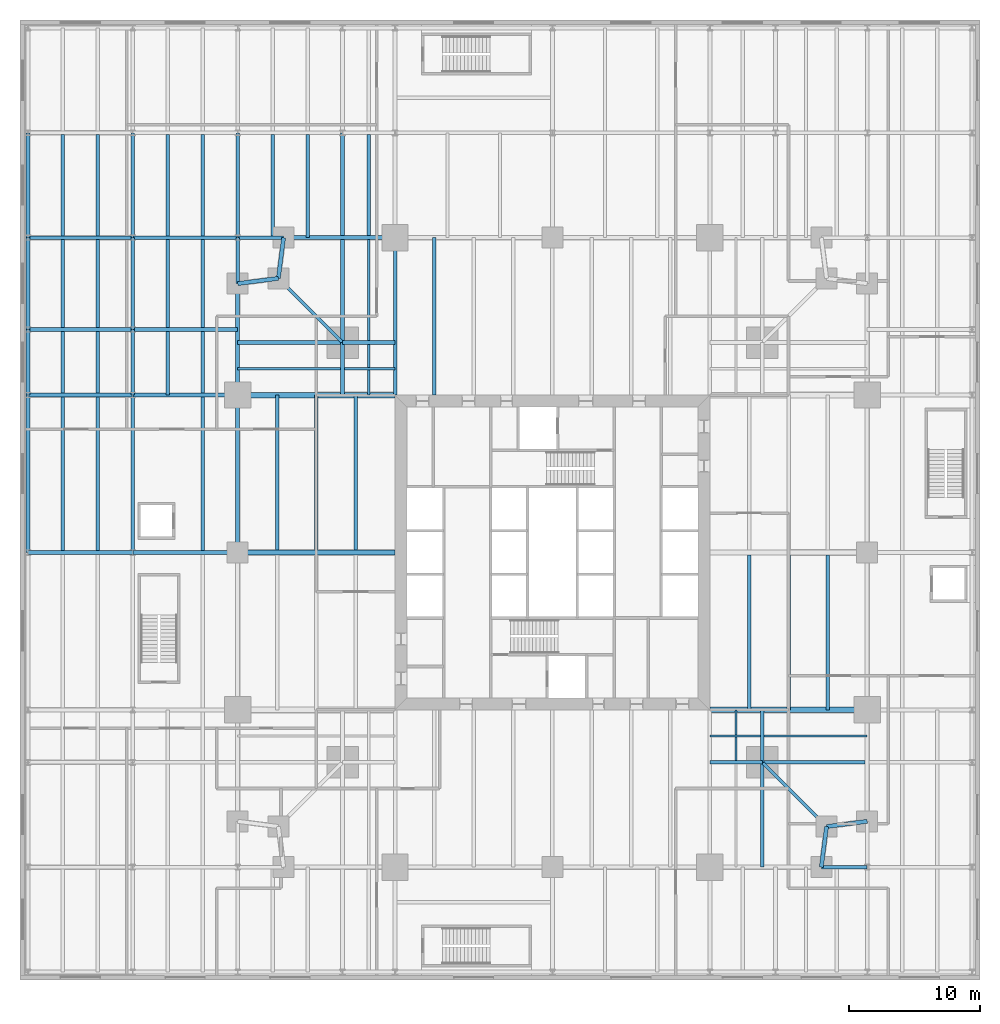
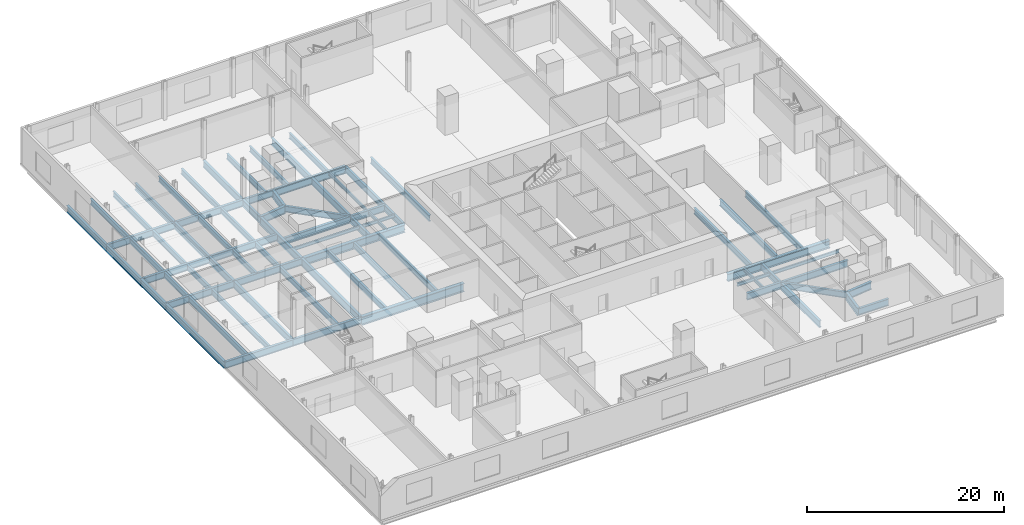
# One storey, part 6 of 16: 76 beams.
"""IFC4 building model written with IfcOpenShell, lengths in metres."""

from ifc_helpers import new_model, si_unit, direction, frame, origin, origin_2d, place, context, subcontext, project, spatial, i_section, extrude, material, material_profile, profile_set, type_object, element, save


model = new_model("IFC4")

# Units and contexts
model_context = context("Model", 3, precision=1e-05, world=origin(), true_north=direction((0.0, 1.0)))
body_context = subcontext(model_context, "Body", "Model", "MODEL_VIEW")
ifc_project = project(units=[si_unit("LENGTHUNIT", "METRE"), si_unit("AREAUNIT", "SQUARE_METRE"), si_unit("VOLUMEUNIT", "CUBIC_METRE"), si_unit("PLANEANGLEUNIT", "RADIAN"), si_unit("MASSUNIT", "GRAM", prefix="KILO")], contexts=[model_context])

# Site, building, storey
site_placement = place(None, origin())
site = spatial("IfcSite", under=ifc_project, at=site_placement, CompositionType="ELEMENT")
building_placement = place(site_placement, origin())
building = spatial("IfcBuilding", under=site, at=building_placement, Name="Fenwick Lantern Interchange", CompositionType="ELEMENT")
storey_placement = place(building_placement, frame((0.0, 0.0, 16.60009765625)))
storey = spatial("IfcBuildingStorey", under=building, at=storey_placement, Name="L03", CompositionType="ELEMENT", Elevation=16.60009765625)

# Beams
ifc_material = material(Name="Steel ASTM A992 Grade 50", Category="steel")
ifc_material_profile_1 = material_profile(ifc_material, i_section(OverallWidth=0.309814453125, OverallDepth=0.949951171875, WebThickness=0.0244140625, FlangeThickness=0.0439453125, at=origin_2d()), Name="W36X256")
ifc_profile_set_1 = profile_set([ifc_material_profile_1], Name="Steel ASTM A992 Grade 50")
beam_type_1 = type_object("IfcBeamType", Name="EDGE BEAM W36X256", PredefinedType="SPANDREL", material=ifc_profile_set_1)
for number, where, z_axis, x_axis, name in (
    (1, (45.5, 1.0, -0.675048828125), (0.127936641807, 0.991782342897, 0.0), (-0.991782342897, 0.127936641807, 0.0), "L03/FR/S/EBR1"),
    (2, (45.89990234375, 4.10009765625, -0.675048828125), (0.991782342897, 0.127936641807, 0.0), (-0.127936641807, 0.991782342897, 0.0), "L03/FR/S/EBR2"),
):
    element("IfcBeam", number, at=place(storey_placement, frame(where, z_axis=z_axis, x_axis=x_axis)), inside=storey, type_object=beam_type_1, Name=name, PredefinedType="SPANDREL", context=body_context, shape_type="SweptSolid", body=[
        extrude(i_section(OverallWidth=0.309814453125, OverallDepth=0.949951171875, WebThickness=0.0244140625, FlangeThickness=0.0439453125, at=origin_2d()), origin(), (0.0, 0.0, 1.0), 3.125732421875),
    ])
beam_1_placement = place(storey_placement, frame((13.0, 49.0, -0.675048828125), z_axis=(-1.0, 0.0, 0.0), x_axis=(0.0, -1.0, 0.0)))
element("IfcBeam", 3, at=beam_1_placement, inside=storey, type_object=beam_type_1, Name="L03/FR/N/EB4", PredefinedType="SPANDREL", context=body_context, shape_type="SweptSolid", body=[
    extrude(i_section(OverallWidth=0.309814453125, OverallDepth=0.949951171875, WebThickness=0.0244140625, FlangeThickness=0.0439453125, at=origin_2d()), origin(), (0.0, 0.0, 1.0), 8.5),
])
for number, where, z_axis, x_axis, name in (
    (4, (4.5, 49.0, -0.675048828125), (-0.127936641807, -0.991782342897, 0.0), (0.991782342897, -0.127936641807, 0.0), "L03/FR/N/EBR1"),
    (5, (4.10009765625, 45.89990234375, -0.675048828125), (-0.991782342897, -0.127936641807, 0.0), (0.127936641807, -0.991782342897, 0.0), "L03/FR/N/EBR2"),
):
    element("IfcBeam", number, at=place(storey_placement, frame(where, z_axis=z_axis, x_axis=x_axis)), inside=storey, type_object=beam_type_1, Name=name, PredefinedType="SPANDREL", context=body_context, shape_type="SweptSolid", body=[
        extrude(i_section(OverallWidth=0.309814453125, OverallDepth=0.949951171875, WebThickness=0.0244140625, FlangeThickness=0.0439453125, at=origin_2d()), origin(), (0.0, 0.0, 1.0), 3.125732421875),
    ])
beam_2_placement = place(storey_placement, frame((1.0, 45.5, -0.675048828125), z_axis=(0.0, -1.0, 0.0), x_axis=(1.0, 0.0, 0.0)))
element("IfcBeam", 6, at=beam_2_placement, inside=storey, type_object=beam_type_1, Name="L03/FR/W/EB1", PredefinedType="SPANDREL", context=body_context, shape_type="SweptSolid", body=[
    extrude(i_section(OverallWidth=0.309814453125, OverallDepth=0.949951171875, WebThickness=0.0244140625, FlangeThickness=0.0439453125, at=origin_2d()), origin(), (0.0, 0.0, 1.0), 8.5),
])
beam_3_placement = place(storey_placement, frame((1.0, 37.0, -0.675048828125), z_axis=(0.0, -1.0, 0.0), x_axis=(1.0, 0.0, 0.0)))
element("IfcBeam", 7, at=beam_3_placement, inside=storey, type_object=beam_type_1, Name="L03/FR/W/EB2", PredefinedType="SPANDREL", context=body_context, shape_type="SweptSolid", body=[
    extrude(i_section(OverallWidth=0.309814453125, OverallDepth=0.949951171875, WebThickness=0.0244140625, FlangeThickness=0.0439453125, at=origin_2d()), origin(), (0.0, 0.0, 1.0), 12.0),
])
ifc_material_profile_2 = material_profile(ifc_material, i_section(OverallWidth=0.2666015625, OverallDepth=0.7568359375, WebThickness=0.013916015625, FlangeThickness=0.019287109375, at=origin_2d()), Name="W30X108")
ifc_profile_set_2 = profile_set([ifc_material_profile_2], Name="Steel ASTM A992 Grade 50")
beam_type_2 = type_object("IfcBeamType", Name="FLOOR BEAM W30X108", PredefinedType="BEAM", material=ifc_profile_set_2)
for number, where, z_axis, x_axis, name in (
    (8, (46.0, 13.0, -0.57861328125), (0.0, 1.0, 0.0), (-1.0, 0.0, 0.0), "L03/FR/E/B01"),
    (9, (43.0, 13.0, -0.57861328125), (0.0, 1.0, 0.0), (-1.0, 0.0, 0.0), "L03/FR/E/B02"),
    (10, (40.0, 13.0, -0.57861328125), (0.0, 1.0, 0.0), (-1.0, 0.0, 0.0), "L03/FR/E/B03"),
):
    element("IfcBeam", number, at=place(storey_placement, frame(where, z_axis=z_axis, x_axis=x_axis)), inside=storey, type_object=beam_type_2, Name=name, PredefinedType="BEAM", context=body_context, shape_type="SweptSolid", body=[
        extrude(i_section(OverallWidth=0.2666015625, OverallDepth=0.7568359375, WebThickness=0.013916015625, FlangeThickness=0.019287109375, at=origin_2d()), origin(), (0.0, 0.0, 1.0), 11.79541015625),
    ])
beam_4_placement = place(storey_placement, frame((16.0, 49.0, -0.57861328125), z_axis=(0.0, -1.0, 0.0), x_axis=(1.0, 0.0, 0.0)))
element("IfcBeam", 11, at=beam_4_placement, inside=storey, type_object=beam_type_2, Name="L03/FR/N/R08", PredefinedType="BEAM", context=body_context, shape_type="SweptSolid", body=[
    extrude(i_section(OverallWidth=0.2666015625, OverallDepth=0.7568359375, WebThickness=0.013916015625, FlangeThickness=0.019287109375, at=origin_2d()), origin(), (0.0, 0.0, 1.0), 12.0),
])
for number, where, z_axis, x_axis, name in (
    (12, (4.0, 37.0, -0.57861328125), (0.0, -1.0, 0.0), (1.0, 0.0, 0.0), "L03/FR/W/B01"),
    (13, (7.0, 37.0, -0.57861328125), (0.0, -1.0, 0.0), (1.0, 0.0, 0.0), "L03/FR/W/B02"),
    (14, (10.0, 37.0, -0.57861328125), (0.0, -1.0, 0.0), (1.0, 0.0, 0.0), "L03/FR/W/B03"),
):
    element("IfcBeam", number, at=place(storey_placement, frame(where, z_axis=z_axis, x_axis=x_axis)), inside=storey, type_object=beam_type_2, Name=name, PredefinedType="BEAM", context=body_context, shape_type="SweptSolid", body=[
        extrude(i_section(OverallWidth=0.2666015625, OverallDepth=0.7568359375, WebThickness=0.013916015625, FlangeThickness=0.019287109375, at=origin_2d()), origin(), (0.0, 0.0, 1.0), 11.79541015625),
    ])
ifc_material_profile_3 = material_profile(ifc_material, i_section(OverallWidth=0.177734375, OverallDepth=0.406494140625, WebThickness=0.0078125, FlangeThickness=0.012939453125, at=origin_2d()), Name="W16X40")
ifc_profile_set_3 = profile_set([ifc_material_profile_3], Name="Steel ASTM A992 Grade 50")
beam_type_3 = type_object("IfcBeamType", Name="INFILL BEAM W16X40", PredefinedType="JOIST", material=ifc_profile_set_3)
beam_5_placement = place(storey_placement, frame((49.0, 11.0, -0.4033203125), z_axis=(-1.0, 0.0, 0.0), x_axis=(0.0, -1.0, 0.0)))
element("IfcBeam", 15, at=beam_5_placement, inside=storey, type_object=beam_type_3, Name="L03/FR/E/J1", PredefinedType="JOIST", context=body_context, shape_type="SweptSolid", body=[
    extrude(i_section(OverallWidth=0.177734375, OverallDepth=0.406494140625, WebThickness=0.0078125, FlangeThickness=0.012939453125, at=origin_2d()), origin(), (0.0, 0.0, 1.0), 7.85400390625),
])
beam_6_placement = place(storey_placement, frame((40.85400390625, 11.0, -0.4033203125), z_axis=(-1.0, 0.0, 0.0), x_axis=(0.0, -1.0, 0.0)))
element("IfcBeam", 16, at=beam_6_placement, inside=storey, type_object=beam_type_3, Name="L03/FR/E/J2", PredefinedType="JOIST", context=body_context, shape_type="SweptSolid", body=[
    extrude(i_section(OverallWidth=0.177734375, OverallDepth=0.406494140625, WebThickness=0.0078125, FlangeThickness=0.012939453125, at=origin_2d()), origin(), (0.0, 0.0, 1.0), 3.85400390625),
])
beam_7_placement = place(storey_placement, frame((39.0, 9.14599609375, -0.4033203125), z_axis=(0.0, 1.0, 0.0), x_axis=(-1.0, 0.0, 0.0)))
element("IfcBeam", 17, at=beam_7_placement, inside=storey, type_object=beam_type_3, Name="L03/FR/E/J4", PredefinedType="JOIST", context=body_context, shape_type="SweptSolid", body=[
    extrude(i_section(OverallWidth=0.177734375, OverallDepth=0.406494140625, WebThickness=0.0078125, FlangeThickness=0.012939453125, at=origin_2d()), origin(), (0.0, 0.0, 1.0), 1.76513671875),
])
beam_8_placement = place(storey_placement, frame((39.0, 11.0888671875, -0.4033203125), z_axis=(0.0, 1.0, 0.0), x_axis=(-1.0, 0.0, 0.0)))
element("IfcBeam", 18, at=beam_8_placement, inside=storey, type_object=beam_type_3, Name="L03/FR/E/J5", PredefinedType="JOIST", context=body_context, shape_type="SweptSolid", body=[
    extrude(i_section(OverallWidth=0.177734375, OverallDepth=0.406494140625, WebThickness=0.0078125, FlangeThickness=0.012939453125, at=origin_2d()), origin(), (0.0, 0.0, 1.0), 1.9111328125),
])
beam_9_placement = place(storey_placement, frame((1.0, 39.0, -0.4033203125), z_axis=(1.0, 0.0, 0.0), x_axis=(0.0, 1.0, 0.0)))
element("IfcBeam", 19, at=beam_9_placement, inside=storey, type_object=beam_type_3, Name="L03/FR/W/J1", PredefinedType="JOIST", context=body_context, shape_type="SweptSolid", body=[
    extrude(i_section(OverallWidth=0.177734375, OverallDepth=0.406494140625, WebThickness=0.0078125, FlangeThickness=0.012939453125, at=origin_2d()), origin(), (0.0, 0.0, 1.0), 7.85400390625),
])
beam_10_placement = place(storey_placement, frame((9.14599609375, 39.0, -0.4033203125), z_axis=(1.0, 0.0, 0.0), x_axis=(0.0, 1.0, 0.0)))
element("IfcBeam", 20, at=beam_10_placement, inside=storey, type_object=beam_type_3, Name="L03/FR/W/J2", PredefinedType="JOIST", context=body_context, shape_type="SweptSolid", body=[
    extrude(i_section(OverallWidth=0.177734375, OverallDepth=0.406494140625, WebThickness=0.0078125, FlangeThickness=0.012939453125, at=origin_2d()), origin(), (0.0, 0.0, 1.0), 3.85400390625),
])
beam_11_placement = place(storey_placement, frame((11.0, 48.844970703125, -0.4033203125), z_axis=(0.0, -1.0, 0.0), x_axis=(1.0, 0.0, 0.0)))
element("IfcBeam", 21, at=beam_11_placement, inside=storey, type_object=beam_type_3, Name="L03/FR/W/J3", PredefinedType="JOIST", context=body_context, shape_type="SweptSolid", body=[
    extrude(i_section(OverallWidth=0.177734375, OverallDepth=0.406494140625, WebThickness=0.0078125, FlangeThickness=0.012939453125, at=origin_2d()), origin(), (0.0, 0.0, 1.0), 7.698974609375),
])
beam_12_placement = place(storey_placement, frame((11.0, 40.85400390625, -0.4033203125), z_axis=(0.0, -1.0, 0.0), x_axis=(1.0, 0.0, 0.0)))
element("IfcBeam", 22, at=beam_12_placement, inside=storey, type_object=beam_type_3, Name="L03/FR/W/J4", PredefinedType="JOIST", context=body_context, shape_type="SweptSolid", body=[
    extrude(i_section(OverallWidth=0.177734375, OverallDepth=0.406494140625, WebThickness=0.0078125, FlangeThickness=0.012939453125, at=origin_2d()), origin(), (0.0, 0.0, 1.0), 1.76513671875),
])
beam_13_placement = place(storey_placement, frame((11.0, 38.9111328125, -0.4033203125), z_axis=(0.0, -1.0, 0.0), x_axis=(1.0, 0.0, 0.0)))
element("IfcBeam", 23, at=beam_13_placement, inside=storey, type_object=beam_type_3, Name="L03/FR/W/J5", PredefinedType="JOIST", context=body_context, shape_type="SweptSolid", body=[
    extrude(i_section(OverallWidth=0.177734375, OverallDepth=0.406494140625, WebThickness=0.0078125, FlangeThickness=0.012939453125, at=origin_2d()), origin(), (0.0, 0.0, 1.0), 1.9111328125),
])
ifc_material_profile_4 = material_profile(ifc_material, i_section(OverallWidth=0.2919921875, OverallDepth=0.845703125, WebThickness=0.015380859375, FlangeThickness=0.0244140625, at=origin_2d()), Name="W33X141")
ifc_profile_set_4 = profile_set([ifc_material_profile_4], Name="Steel ASTM A992 Grade 50")
beam_type_4 = type_object("IfcBeamType", Name="MEGA COLUMN BEAM W33X141", PredefinedType="BEAM", material=ifc_profile_set_4)
beam_14_placement = place(storey_placement, frame((41.0, 9.0, -0.623046875), z_axis=(1.0, 0.0, 0.0), x_axis=(0.0, 1.0, 0.0)))
element("IfcBeam", 24, at=beam_14_placement, inside=storey, type_object=beam_type_4, Name="L03/FR/E/MB1", PredefinedType="BEAM", context=body_context, shape_type="SweptSolid", body=[
    extrude(i_section(OverallWidth=0.2919921875, OverallDepth=0.845703125, WebThickness=0.015380859375, FlangeThickness=0.0244140625, at=origin_2d()), origin(), (0.0, 0.0, 1.0), 7.844970703125),
])
beam_15_placement = place(storey_placement, frame((41.0, 9.0, -0.623046875), z_axis=(0.0, -1.0, 0.0), x_axis=(1.0, 0.0, 0.0)))
element("IfcBeam", 25, at=beam_15_placement, inside=storey, type_object=beam_type_4, Name="L03/FR/E/MB2", PredefinedType="BEAM", context=body_context, shape_type="SweptSolid", body=[
    extrude(i_section(OverallWidth=0.2919921875, OverallDepth=0.845703125, WebThickness=0.015380859375, FlangeThickness=0.0244140625, at=origin_2d()), origin(), (0.0, 0.0, 1.0), 8.0),
])
for number, where, z_axis, x_axis, name in (
    (26, (41.0, 9.0, -0.623046875), (0.0, 1.0, 0.0), (-1.0, 0.0, 0.0), "L03/FR/E/MB3"),
    (27, (41.0, 9.0, -0.623046875), (-1.0, 0.0, 0.0), (0.0, -1.0, 0.0), "L03/FR/E/MB4"),
):
    element("IfcBeam", number, at=place(storey_placement, frame(where, z_axis=z_axis, x_axis=x_axis)), inside=storey, type_object=beam_type_4, Name=name, PredefinedType="BEAM", context=body_context, shape_type="SweptSolid", body=[
        extrude(i_section(OverallWidth=0.2919921875, OverallDepth=0.845703125, WebThickness=0.015380859375, FlangeThickness=0.0244140625, at=origin_2d()), origin(), (0.0, 0.0, 1.0), 4.0),
    ])
beam_16_placement = place(storey_placement, frame((9.0, 41.0, -0.623046875), z_axis=(-1.0, 0.0, 0.0), x_axis=(0.0, -1.0, 0.0)))
element("IfcBeam", 28, at=beam_16_placement, inside=storey, type_object=beam_type_4, Name="L03/FR/W/MB1", PredefinedType="BEAM", context=body_context, shape_type="SweptSolid", body=[
    extrude(i_section(OverallWidth=0.2919921875, OverallDepth=0.845703125, WebThickness=0.015380859375, FlangeThickness=0.0244140625, at=origin_2d()), origin(), (0.0, 0.0, 1.0), 8.0),
])
beam_17_placement = place(storey_placement, frame((9.0, 41.0, -0.623046875), z_axis=(0.0, 1.0, 0.0), x_axis=(-1.0, 0.0, 0.0)))
element("IfcBeam", 29, at=beam_17_placement, inside=storey, type_object=beam_type_4, Name="L03/FR/W/MB2", PredefinedType="BEAM", context=body_context, shape_type="SweptSolid", body=[
    extrude(i_section(OverallWidth=0.2919921875, OverallDepth=0.845703125, WebThickness=0.015380859375, FlangeThickness=0.0244140625, at=origin_2d()), origin(), (0.0, 0.0, 1.0), 7.844970703125),
])
for number, where, z_axis, x_axis, name in (
    (30, (9.0, 41.0, -0.623046875), (0.0, -1.0, 0.0), (1.0, 0.0, 0.0), "L03/FR/W/MB3"),
    (31, (9.0, 41.0, -0.623046875), (1.0, 0.0, 0.0), (0.0, 1.0, 0.0), "L03/FR/W/MB4"),
):
    element("IfcBeam", number, at=place(storey_placement, frame(where, z_axis=z_axis, x_axis=x_axis)), inside=storey, type_object=beam_type_4, Name=name, PredefinedType="BEAM", context=body_context, shape_type="SweptSolid", body=[
        extrude(i_section(OverallWidth=0.2919921875, OverallDepth=0.845703125, WebThickness=0.015380859375, FlangeThickness=0.0244140625, at=origin_2d()), origin(), (0.0, 0.0, 1.0), 4.0),
    ])
ifc_material_profile_5 = material_profile(ifc_material, i_section(OverallWidth=0.2666015625, OverallDepth=0.76953125, WebThickness=0.015625, FlangeThickness=0.025390625, at=origin_2d()), Name="W30X132")
ifc_profile_set_5 = profile_set([ifc_material_profile_5], Name="Steel ASTM A992 Grade 50")
beam_type_5 = type_object("IfcBeamType", Name="MOMENT-CONNECTED GIRDER W30X132", PredefinedType="BEAM", material=ifc_profile_set_5)
beam_18_placement = place(storey_placement, frame((13.0, 49.0, -0.5849609375), z_axis=(0.0, -1.0, 0.0), x_axis=(1.0, 0.0, 0.0)))
element("IfcBeam", 32, at=beam_18_placement, inside=storey, type_object=beam_type_5, Name="L03/FR/N/R09", PredefinedType="BEAM", context=body_context, shape_type="SweptSolid", body=[
    extrude(i_section(OverallWidth=0.2666015625, OverallDepth=0.76953125, WebThickness=0.015625, FlangeThickness=0.025390625, at=origin_2d()), origin(), (0.0, 0.0, 1.0), 12.0),
])
ifc_material_profile_6 = material_profile(ifc_material, i_section(OverallWidth=0.424072265625, OverallDepth=0.947509765625, WebThickness=0.02392578125, FlangeThickness=0.042724609375, at=origin_2d()), Name="W36X302")
ifc_profile_set_6 = profile_set([ifc_material_profile_6], Name="Steel ASTM A992 Grade 50")
beam_type_6 = type_object("IfcBeamType", Name="MOMENT-CONNECTED GIRDER W36X302", PredefinedType="BEAM", material=ifc_profile_set_6)
for number, where, z_axis, x_axis, name in (
    (33, (49.0, 13.0, -0.673828125), (-1.0, 0.0, 0.0), (0.0, -1.0, 0.0), "L03/FR/E/R01"),
    (34, (1.0, 37.0, -0.673828125), (1.0, 0.0, 0.0), (0.0, 1.0, 0.0), "L03/FR/W/R01"),
):
    element("IfcBeam", number, at=place(storey_placement, frame(where, z_axis=z_axis, x_axis=x_axis)), inside=storey, type_object=beam_type_6, Name=name, PredefinedType="BEAM", context=body_context, shape_type="SweptSolid", body=[
        extrude(i_section(OverallWidth=0.424072265625, OverallDepth=0.947509765625, WebThickness=0.02392578125, FlangeThickness=0.042724609375, at=origin_2d()), origin(), (0.0, 0.0, 1.0), 12.0),
    ])
ifc_material_profile_7 = material_profile(ifc_material, i_section(OverallWidth=0.408935546875, OverallDepth=1.04150390625, WebThickness=0.031005859375, FlangeThickness=0.055908203125, at=origin_2d()), Name="W40X397")
ifc_profile_set_7 = profile_set([ifc_material_profile_7], Name="Steel ASTM A992 Grade 50")
beam_type_7 = type_object("IfcBeamType", Name="MOMENT-CONNECTED GIRDER W40X397", PredefinedType="BEAM", material=ifc_profile_set_7)
beam_19_placement = place(storey_placement, frame((1.0, 25.0, -0.720703125), z_axis=(1.0, 0.0, 0.0), x_axis=(0.0, 1.0, 0.0)))
element("IfcBeam", 35, at=beam_19_placement, inside=storey, type_object=beam_type_7, Name="L03/FR/W/R02", PredefinedType="BEAM", context=body_context, shape_type="SweptSolid", body=[
    extrude(i_section(OverallWidth=0.408935546875, OverallDepth=1.04150390625, WebThickness=0.031005859375, FlangeThickness=0.055908203125, at=origin_2d()), origin(), (0.0, 0.0, 1.0), 12.0),
])
ifc_material_profile_8 = material_profile(ifc_material, i_section(OverallWidth=0.2919921875, OverallDepth=0.845703125, WebThickness=0.015380859375, FlangeThickness=0.0244140625, at=origin_2d()), Name="W33X141")
ifc_profile_set_8 = profile_set([ifc_material_profile_8], Name="Steel ASTM A992 Grade 50")
beam_type_8 = type_object("IfcBeamType", Name="MOMENT-CONNECTED PODIUM GIRDER W33X141", PredefinedType="BEAM", material=ifc_profile_set_8)
beam_20_placement = place(storey_placement, frame((45.5, 1.0, -0.623046875), z_axis=(1.0, 0.0, 0.0), x_axis=(0.0, 1.0, 0.0)))
element("IfcBeam", 36, at=beam_20_placement, inside=storey, type_object=beam_type_8, Name="L03/PF/G013", PredefinedType="BEAM", context=body_context, shape_type="SweptSolid", body=[
    extrude(i_section(OverallWidth=0.2919921875, OverallDepth=0.845703125, WebThickness=0.015380859375, FlangeThickness=0.0244140625, at=origin_2d()), origin(), (0.0, 0.0, 1.0), 3.5),
])
for number, where, z_axis, x_axis, name in (
    (37, (-15.0, 25.0, -0.623046875), (1.0, 0.0, 0.0), (0.0, 1.0, 0.0), "L03/PF/G021"),
    (38, (-7.0, 25.0, -0.623046875), (1.0, 0.0, 0.0), (0.0, 1.0, 0.0), "L03/PF/G022"),
    (39, (-15.0, 37.0, -0.623046875), (1.0, 0.0, 0.0), (0.0, 1.0, 0.0), "L03/PF/G024"),
    (40, (-7.0, 37.0, -0.623046875), (1.0, 0.0, 0.0), (0.0, 1.0, 0.0), "L03/PF/G025"),
    (41, (-15.0, 42.0, -0.623046875), (1.0, 0.0, 0.0), (0.0, 1.0, 0.0), "L03/PF/G027"),
    (42, (-7.0, 42.0, -0.623046875), (1.0, 0.0, 0.0), (0.0, 1.0, 0.0), "L03/PF/G028"),
    (43, (-15.0, 49.0, -0.623046875), (1.0, 0.0, 0.0), (0.0, 1.0, 0.0), "L03/PF/G030"),
    (44, (-7.0, 49.0, -0.623046875), (1.0, 0.0, 0.0), (0.0, 1.0, 0.0), "L03/PF/G031"),
):
    element("IfcBeam", number, at=place(storey_placement, frame(where, z_axis=z_axis, x_axis=x_axis)), inside=storey, type_object=beam_type_8, Name=name, PredefinedType="BEAM", context=body_context, shape_type="SweptSolid", body=[
        extrude(i_section(OverallWidth=0.2919921875, OverallDepth=0.845703125, WebThickness=0.015380859375, FlangeThickness=0.0244140625, at=origin_2d()), origin(), (0.0, 0.0, 1.0), 8.0),
    ])
beam_21_placement = place(storey_placement, frame((1.0, 49.0, -0.623046875), z_axis=(1.0, 0.0, 0.0), x_axis=(0.0, 1.0, 0.0)))
element("IfcBeam", 45, at=beam_21_placement, inside=storey, type_object=beam_type_8, Name="L03/PF/G032", PredefinedType="BEAM", context=body_context, shape_type="SweptSolid", body=[
    extrude(i_section(OverallWidth=0.2919921875, OverallDepth=0.845703125, WebThickness=0.015380859375, FlangeThickness=0.0244140625, at=origin_2d()), origin(), (0.0, 0.0, 1.0), 3.5),
])
beam_22_placement = place(storey_placement, frame((-15.0, 25.0, -0.623046875), z_axis=(0.0, 1.0, 0.0), x_axis=(-1.0, 0.0, 0.0)))
element("IfcBeam", 46, at=beam_22_placement, inside=storey, type_object=beam_type_8, Name="L03/PF/G057", PredefinedType="BEAM", context=body_context, shape_type="SweptSolid", body=[
    extrude(i_section(OverallWidth=0.2919921875, OverallDepth=0.845703125, WebThickness=0.015380859375, FlangeThickness=0.0244140625, at=origin_2d()), origin(), (0.0, 0.0, 1.0), 12.0),
])
beam_23_placement = place(storey_placement, frame((-15.0, 37.0, -0.623046875), z_axis=(0.0, 1.0, 0.0), x_axis=(-1.0, 0.0, 0.0)))
element("IfcBeam", 47, at=beam_23_placement, inside=storey, type_object=beam_type_8, Name="L03/PF/G058", PredefinedType="BEAM", context=body_context, shape_type="SweptSolid", body=[
    extrude(i_section(OverallWidth=0.2919921875, OverallDepth=0.845703125, WebThickness=0.015380859375, FlangeThickness=0.0244140625, at=origin_2d()), origin(), (0.0, 0.0, 1.0), 5.0),
])
beam_24_placement = place(storey_placement, frame((-15.0, 42.0, -0.623046875), z_axis=(0.0, 1.0, 0.0), x_axis=(-1.0, 0.0, 0.0)))
element("IfcBeam", 48, at=beam_24_placement, inside=storey, type_object=beam_type_8, Name="L03/PF/G059", PredefinedType="BEAM", context=body_context, shape_type="SweptSolid", body=[
    extrude(i_section(OverallWidth=0.2919921875, OverallDepth=0.845703125, WebThickness=0.015380859375, FlangeThickness=0.0244140625, at=origin_2d()), origin(), (0.0, 0.0, 1.0), 7.0),
])
beam_25_placement = place(storey_placement, frame((-15.0, 49.0, -0.623046875), z_axis=(0.0, 1.0, 0.0), x_axis=(-1.0, 0.0, 0.0)))
element("IfcBeam", 49, at=beam_25_placement, inside=storey, type_object=beam_type_8, Name="L03/PF/G060", PredefinedType="BEAM", context=body_context, shape_type="SweptSolid", body=[
    extrude(i_section(OverallWidth=0.2919921875, OverallDepth=0.845703125, WebThickness=0.015380859375, FlangeThickness=0.0244140625, at=origin_2d()), origin(), (0.0, 0.0, 1.0), 8.0),
])
beam_26_placement = place(storey_placement, frame((-7.0, 25.0, -0.623046875), z_axis=(0.0, 1.0, 0.0), x_axis=(-1.0, 0.0, 0.0)))
element("IfcBeam", 50, at=beam_26_placement, inside=storey, type_object=beam_type_8, Name="L03/PF/G066", PredefinedType="BEAM", context=body_context, shape_type="SweptSolid", body=[
    extrude(i_section(OverallWidth=0.2919921875, OverallDepth=0.845703125, WebThickness=0.015380859375, FlangeThickness=0.0244140625, at=origin_2d()), origin(), (0.0, 0.0, 1.0), 12.0),
])
beam_27_placement = place(storey_placement, frame((-7.0, 37.0, -0.623046875), z_axis=(0.0, 1.0, 0.0), x_axis=(-1.0, 0.0, 0.0)))
element("IfcBeam", 51, at=beam_27_placement, inside=storey, type_object=beam_type_8, Name="L03/PF/G067", PredefinedType="BEAM", context=body_context, shape_type="SweptSolid", body=[
    extrude(i_section(OverallWidth=0.2919921875, OverallDepth=0.845703125, WebThickness=0.015380859375, FlangeThickness=0.0244140625, at=origin_2d()), origin(), (0.0, 0.0, 1.0), 5.0),
])
beam_28_placement = place(storey_placement, frame((-7.0, 42.0, -0.623046875), z_axis=(0.0, 1.0, 0.0), x_axis=(-1.0, 0.0, 0.0)))
element("IfcBeam", 52, at=beam_28_placement, inside=storey, type_object=beam_type_8, Name="L03/PF/G068", PredefinedType="BEAM", context=body_context, shape_type="SweptSolid", body=[
    extrude(i_section(OverallWidth=0.2919921875, OverallDepth=0.845703125, WebThickness=0.015380859375, FlangeThickness=0.0244140625, at=origin_2d()), origin(), (0.0, 0.0, 1.0), 7.0),
])
beam_29_placement = place(storey_placement, frame((-7.0, 49.0, -0.623046875), z_axis=(0.0, 1.0, 0.0), x_axis=(-1.0, 0.0, 0.0)))
element("IfcBeam", 53, at=beam_29_placement, inside=storey, type_object=beam_type_8, Name="L03/PF/G069", PredefinedType="BEAM", context=body_context, shape_type="SweptSolid", body=[
    extrude(i_section(OverallWidth=0.2919921875, OverallDepth=0.845703125, WebThickness=0.015380859375, FlangeThickness=0.0244140625, at=origin_2d()), origin(), (0.0, 0.0, 1.0), 8.0),
])
beam_30_placement = place(storey_placement, frame((1.0, 45.5, -0.623046875), z_axis=(0.0, 1.0, 0.0), x_axis=(-1.0, 0.0, 0.0)))
element("IfcBeam", 54, at=beam_30_placement, inside=storey, type_object=beam_type_8, Name="L03/PF/G073", PredefinedType="BEAM", context=body_context, shape_type="SweptSolid", body=[
    extrude(i_section(OverallWidth=0.2919921875, OverallDepth=0.845703125, WebThickness=0.015380859375, FlangeThickness=0.0244140625, at=origin_2d()), origin(), (0.0, 0.0, 1.0), 3.5),
])
beam_31_placement = place(storey_placement, frame((1.0, 49.0, -0.623046875), z_axis=(0.0, 1.0, 0.0), x_axis=(-1.0, 0.0, 0.0)))
element("IfcBeam", 55, at=beam_31_placement, inside=storey, type_object=beam_type_8, Name="L03/PF/G074", PredefinedType="BEAM", context=body_context, shape_type="SweptSolid", body=[
    extrude(i_section(OverallWidth=0.2919921875, OverallDepth=0.845703125, WebThickness=0.015380859375, FlangeThickness=0.0244140625, at=origin_2d()), origin(), (0.0, 0.0, 1.0), 8.0),
])
beam_32_placement = place(storey_placement, frame((9.0, 49.155029296875, -0.623046875), z_axis=(0.0, 1.0, 0.0), x_axis=(-1.0, 0.0, 0.0)))
element("IfcBeam", 56, at=beam_32_placement, inside=storey, type_object=beam_type_8, Name="L03/PF/G077", PredefinedType="BEAM", context=body_context, shape_type="SweptSolid", body=[
    extrude(i_section(OverallWidth=0.2919921875, OverallDepth=0.845703125, WebThickness=0.015380859375, FlangeThickness=0.0244140625, at=origin_2d()), origin(), (0.0, 0.0, 1.0), 7.844970703125),
])
ifc_material_profile_9 = material_profile(ifc_material, i_section(OverallWidth=0.2666015625, OverallDepth=0.7568359375, WebThickness=0.013916015625, FlangeThickness=0.019287109375, at=origin_2d()), Name="W30X108")
ifc_profile_set_9 = profile_set([ifc_material_profile_9], Name="Steel ASTM A992 Grade 50")
beam_type_9 = type_object("IfcBeamType", Name="NOTCH BEAM W30X108", PredefinedType="BEAM", material=ifc_profile_set_9)
for number, where, z_axis, x_axis, name in (
    (57, (41.0, 9.0, -0.57861328125), (0.707106781187, -0.707106781187, 0.0), (0.707106781187, 0.707106781187, 0.0), "L03/FR/E/TG"),
    (58, (9.0, 41.0, -0.57861328125), (-0.707106781187, 0.707106781187, 0.0), (-0.707106781187, -0.707106781187, 0.0), "L03/FR/W/TG"),
):
    element("IfcBeam", number, at=place(storey_placement, frame(where, z_axis=z_axis, x_axis=x_axis)), inside=storey, type_object=beam_type_9, Name=name, PredefinedType="BEAM", context=body_context, shape_type="SweptSolid", body=[
        extrude(i_section(OverallWidth=0.2666015625, OverallDepth=0.7568359375, WebThickness=0.013916015625, FlangeThickness=0.019287109375, at=origin_2d()), origin(), (0.0, 0.0, 1.0), 6.929443359375),
    ])
ifc_material_profile_10 = material_profile(ifc_material, i_section(OverallWidth=0.25390625, OverallDepth=0.683349609375, WebThickness=0.012451171875, FlangeThickness=0.01904296875, at=origin_2d()), Name="W27X94")
ifc_profile_set_10 = profile_set([ifc_material_profile_10], Name="Steel ASTM A992 Grade 50")
beam_type_10 = type_object("IfcBeamType", Name="PODIUM BEAM W27X94", PredefinedType="JOIST", material=ifc_profile_set_10)
for number, where, z_axis, x_axis, name in (
    (59, (-12.333251953125, 25.14599609375, -0.541748046875), (0.0, 1.0, 0.0), (-1.0, 0.0, 0.0), "L03/PF/J113"),
    (60, (-9.666748046875, 25.14599609375, -0.541748046875), (0.0, 1.0, 0.0), (-1.0, 0.0, 0.0), "L03/PF/J114"),
):
    element("IfcBeam", number, at=place(storey_placement, frame(where, z_axis=z_axis, x_axis=x_axis)), inside=storey, type_object=beam_type_10, Name=name, PredefinedType="JOIST", context=body_context, shape_type="SweptSolid", body=[
        extrude(i_section(OverallWidth=0.25390625, OverallDepth=0.683349609375, WebThickness=0.012451171875, FlangeThickness=0.01904296875, at=origin_2d()), origin(), (0.0, 0.0, 1.0), 11.7080078125),
    ])
for number, where, z_axis, x_axis, name in (
    (61, (-12.333251953125, 37.14599609375, -0.541748046875), (0.0, 1.0, 0.0), (-1.0, 0.0, 0.0), "L03/PF/J115"),
    (62, (-9.666748046875, 37.14599609375, -0.541748046875), (0.0, 1.0, 0.0), (-1.0, 0.0, 0.0), "L03/PF/J116"),
):
    element("IfcBeam", number, at=place(storey_placement, frame(where, z_axis=z_axis, x_axis=x_axis)), inside=storey, type_object=beam_type_10, Name=name, PredefinedType="JOIST", context=body_context, shape_type="SweptSolid", body=[
        extrude(i_section(OverallWidth=0.25390625, OverallDepth=0.683349609375, WebThickness=0.012451171875, FlangeThickness=0.01904296875, at=origin_2d()), origin(), (0.0, 0.0, 1.0), 4.7080078125),
    ])
for number, where, z_axis, x_axis, name in (
    (63, (-12.333251953125, 42.14599609375, -0.541748046875), (0.0, 1.0, 0.0), (-1.0, 0.0, 0.0), "L03/PF/J117"),
    (64, (-9.666748046875, 42.14599609375, -0.541748046875), (0.0, 1.0, 0.0), (-1.0, 0.0, 0.0), "L03/PF/J118"),
):
    element("IfcBeam", number, at=place(storey_placement, frame(where, z_axis=z_axis, x_axis=x_axis)), inside=storey, type_object=beam_type_10, Name=name, PredefinedType="JOIST", context=body_context, shape_type="SweptSolid", body=[
        extrude(i_section(OverallWidth=0.25390625, OverallDepth=0.683349609375, WebThickness=0.012451171875, FlangeThickness=0.01904296875, at=origin_2d()), origin(), (0.0, 0.0, 1.0), 6.7080078125),
    ])
for number, where, z_axis, x_axis, name in (
    (65, (-12.333251953125, 49.14599609375, -0.541748046875), (0.0, 1.0, 0.0), (-1.0, 0.0, 0.0), "L03/PF/J119"),
    (66, (-9.666748046875, 49.14599609375, -0.541748046875), (0.0, 1.0, 0.0), (-1.0, 0.0, 0.0), "L03/PF/J120"),
):
    element("IfcBeam", number, at=place(storey_placement, frame(where, z_axis=z_axis, x_axis=x_axis)), inside=storey, type_object=beam_type_10, Name=name, PredefinedType="JOIST", context=body_context, shape_type="SweptSolid", body=[
        extrude(i_section(OverallWidth=0.25390625, OverallDepth=0.683349609375, WebThickness=0.012451171875, FlangeThickness=0.01904296875, at=origin_2d()), origin(), (0.0, 0.0, 1.0), 7.7080078125),
    ])
beam_33_placement = place(storey_placement, frame((-1.666748046875, 25.14599609375, -0.541748046875), z_axis=(0.0, 1.0, 0.0), x_axis=(-1.0, 0.0, 0.0)))
element("IfcBeam", 67, at=beam_33_placement, inside=storey, type_object=beam_type_10, Name="L03/PF/J130", PredefinedType="JOIST", context=body_context, shape_type="SweptSolid", body=[
    extrude(i_section(OverallWidth=0.25390625, OverallDepth=0.683349609375, WebThickness=0.012451171875, FlangeThickness=0.01904296875, at=origin_2d()), origin(), (0.0, 0.0, 1.0), 11.7080078125),
])
beam_34_placement = place(storey_placement, frame((-4.333251953125, 37.0, -0.541748046875), z_axis=(0.0, 1.0, 0.0), x_axis=(-1.0, 0.0, 0.0)))
element("IfcBeam", 68, at=beam_34_placement, inside=storey, type_object=beam_type_10, Name="L03/PF/J131", PredefinedType="JOIST", context=body_context, shape_type="SweptSolid", body=[
    extrude(i_section(OverallWidth=0.25390625, OverallDepth=0.683349609375, WebThickness=0.012451171875, FlangeThickness=0.01904296875, at=origin_2d()), origin(), (0.0, 0.0, 1.0), 4.85400390625),
])
beam_35_placement = place(storey_placement, frame((-1.666748046875, 37.14599609375, -0.541748046875), z_axis=(0.0, 1.0, 0.0), x_axis=(-1.0, 0.0, 0.0)))
element("IfcBeam", 69, at=beam_35_placement, inside=storey, type_object=beam_type_10, Name="L03/PF/J132", PredefinedType="JOIST", context=body_context, shape_type="SweptSolid", body=[
    extrude(i_section(OverallWidth=0.25390625, OverallDepth=0.683349609375, WebThickness=0.012451171875, FlangeThickness=0.01904296875, at=origin_2d()), origin(), (0.0, 0.0, 1.0), 4.7080078125),
])
for number, where, z_axis, x_axis, name in (
    (70, (-4.333251953125, 42.14599609375, -0.541748046875), (0.0, 1.0, 0.0), (-1.0, 0.0, 0.0), "L03/PF/J133"),
    (71, (-1.666748046875, 42.14599609375, -0.541748046875), (0.0, 1.0, 0.0), (-1.0, 0.0, 0.0), "L03/PF/J134"),
):
    element("IfcBeam", number, at=place(storey_placement, frame(where, z_axis=z_axis, x_axis=x_axis)), inside=storey, type_object=beam_type_10, Name=name, PredefinedType="JOIST", context=body_context, shape_type="SweptSolid", body=[
        extrude(i_section(OverallWidth=0.25390625, OverallDepth=0.683349609375, WebThickness=0.012451171875, FlangeThickness=0.01904296875, at=origin_2d()), origin(), (0.0, 0.0, 1.0), 6.7080078125),
    ])
for number, where, z_axis, x_axis, name in (
    (72, (-4.333251953125, 49.14599609375, -0.541748046875), (0.0, 1.0, 0.0), (-1.0, 0.0, 0.0), "L03/PF/J135"),
    (73, (-1.666748046875, 49.14599609375, -0.541748046875), (0.0, 1.0, 0.0), (-1.0, 0.0, 0.0), "L03/PF/J136"),
):
    element("IfcBeam", number, at=place(storey_placement, frame(where, z_axis=z_axis, x_axis=x_axis)), inside=storey, type_object=beam_type_10, Name=name, PredefinedType="JOIST", context=body_context, shape_type="SweptSolid", body=[
        extrude(i_section(OverallWidth=0.25390625, OverallDepth=0.683349609375, WebThickness=0.012451171875, FlangeThickness=0.01904296875, at=origin_2d()), origin(), (0.0, 0.0, 1.0), 7.7080078125),
    ])
for number, where, z_axis, x_axis, name in (
    (74, (3.666748046875, 49.0, -0.541748046875), (0.0, 1.0, 0.0), (-1.0, 0.0, 0.0), "L03/PF/J141"),
    (75, (6.333251953125, 49.0, -0.541748046875), (0.0, 1.0, 0.0), (-1.0, 0.0, 0.0), "L03/PF/J142"),
):
    element("IfcBeam", number, at=place(storey_placement, frame(where, z_axis=z_axis, x_axis=x_axis)), inside=storey, type_object=beam_type_10, Name=name, PredefinedType="JOIST", context=body_context, shape_type="SweptSolid", body=[
        extrude(i_section(OverallWidth=0.25390625, OverallDepth=0.683349609375, WebThickness=0.012451171875, FlangeThickness=0.01904296875, at=origin_2d()), origin(), (0.0, 0.0, 1.0), 7.85400390625),
    ])
beam_36_placement = place(storey_placement, frame((11.0, 49.155029296875, -0.541748046875), z_axis=(0.0, 1.0, 0.0), x_axis=(-1.0, 0.0, 0.0)))
element("IfcBeam", 76, at=beam_36_placement, inside=storey, type_object=beam_type_10, Name="L03/PF/J146", PredefinedType="JOIST", context=body_context, shape_type="SweptSolid", body=[
    extrude(i_section(OverallWidth=0.25390625, OverallDepth=0.683349609375, WebThickness=0.012451171875, FlangeThickness=0.01904296875, at=origin_2d()), origin(), (0.0, 0.0, 1.0), 7.698974609375),
])

save(model, "model.ifc")
